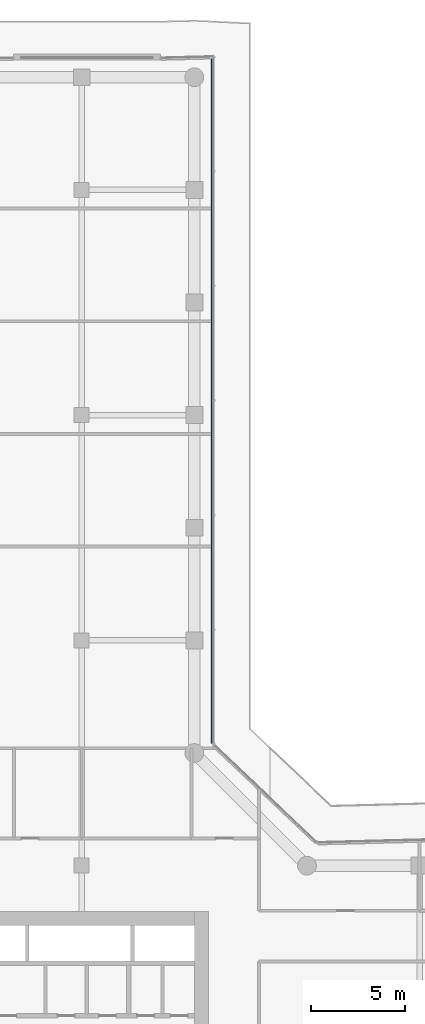
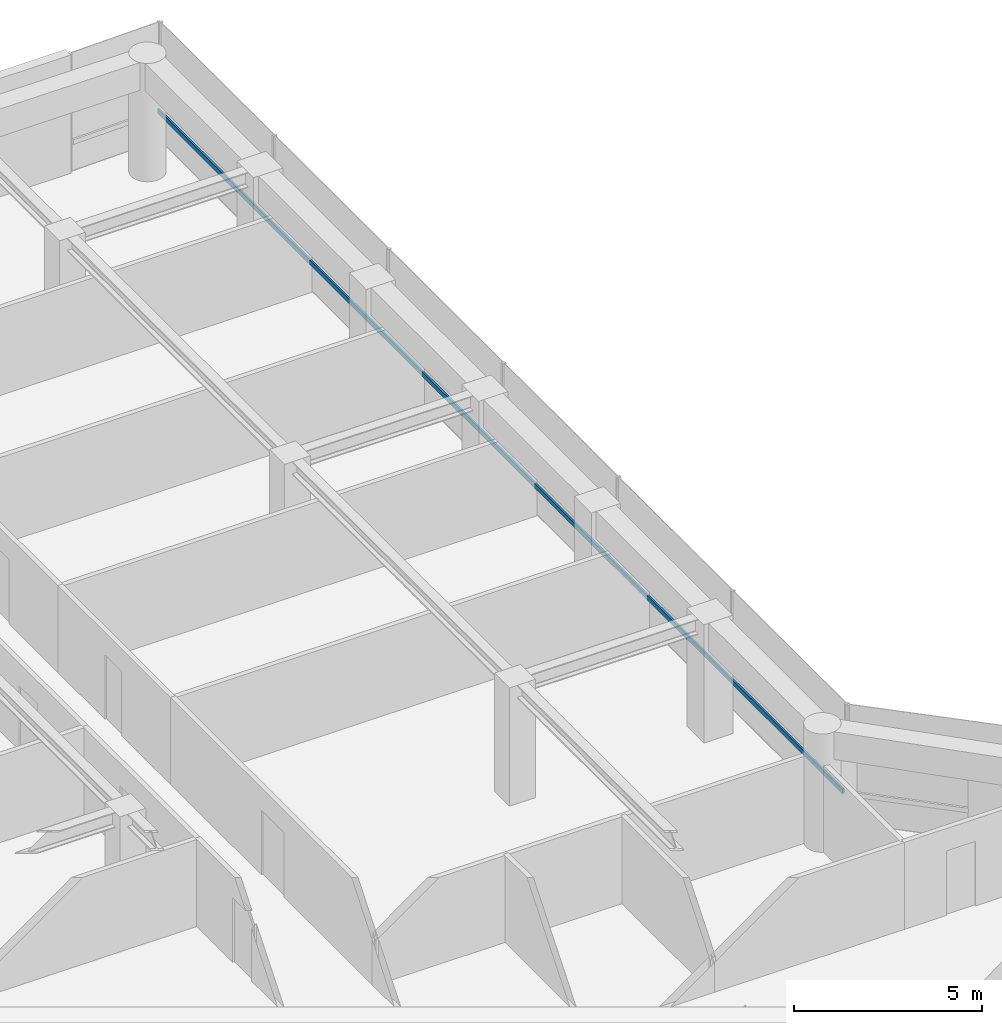
# One storey, part 14 of 23: 1 member, 1 element without a shape of its own.
"""IFC4 building model written with IfcOpenShell, lengths in metres."""

from ifc_helpers import new_model, si_unit, direction, frame, origin, origin_2d, place, context, subcontext, project, spatial, rectangle, extrude, material, layer, layer_set, material_profile, profile_set, type_object, element, aggregate, save


model = new_model("IFC4")

# Units and contexts
model_context = context("Model", 3, precision=1e-05, world=origin(), true_north=direction((0.0, 1.0)))
body_context = subcontext(model_context, "Body", "Model", "MODEL_VIEW")
ifc_project = project(units=[si_unit("LENGTHUNIT", "METRE"), si_unit("AREAUNIT", "SQUARE_METRE"), si_unit("VOLUMEUNIT", "CUBIC_METRE"), si_unit("PLANEANGLEUNIT", "RADIAN"), si_unit("MASSUNIT", "GRAM", prefix="KILO")], contexts=[model_context])

# Site, building, storey
site_placement = place(None, origin())
site = spatial("IfcSite", under=ifc_project, at=site_placement, CompositionType="ELEMENT")
building_placement = place(site_placement, origin())
building = spatial("IfcBuilding", under=site, at=building_placement, Name="Welwitschia Terrace Campus", CompositionType="ELEMENT")
storey_placement = place(building_placement, frame((0.0, 0.0, 104.60009765625)))
storey = spatial("IfcBuildingStorey", under=building, at=storey_placement, Name="L23", CompositionType="ELEMENT", Elevation=104.60009765625)

# Curtain wall, member
ifc_material_1 = material(Name="Bronze anodised aluminium", Category="aluminium")
ifc_layer = layer(ifc_material_1, 0.1201171875)
ifc_layer_set = layer_set([ifc_layer], Name="Bronze anodised aluminium")
curtain_wall_type = type_object("IfcCurtainWallType", Name="Curtain wall CW2 tower 6000", PredefinedType="NOTDEFINED", material=ifc_layer_set)
curtain_wall_placement = place(storey_placement, origin())
curtain_wall = element("IfcCurtainWall", 1, at=curtain_wall_placement, inside=storey, type_object=curtain_wall_type, Name="CW L23.9.0", PredefinedType="NOTDEFINED")
ifc_material_2 = material(Name="Bronze anodised aluminium", Category="aluminium")
ifc_material_profile = material_profile(ifc_material_2, rectangle(XDim=0.06005859375, YDim=0.14990234375, at=origin_2d()))
ifc_profile_set = profile_set([ifc_material_profile], Name="Bronze anodised aluminium")
member_type = type_object("IfcMemberType", Name="Transom 60x150", PredefinedType="USERDEFINED", material=ifc_profile_set)
member_placement = place(storey_placement, frame((24.93994140625, 34.51611328125, 1.0), z_axis=(0.0, 1.0, 0.0), x_axis=(-1.0, 0.0, 0.0)))
member = element("IfcMember", 2, at=member_placement, type_object=member_type, Name="Transom L23.9.0", ObjectType="TRANSOM", PredefinedType="USERDEFINED", context=body_context, shape_type="SweptSolid", body=[
    extrude(rectangle(XDim=0.06005859375, YDim=0.14990234375, at=origin_2d()), origin(), (0.0, 0.0, 1.0), 36.5283203125),
])
aggregate(curtain_wall, [member])

save(model, "model.ifc")
